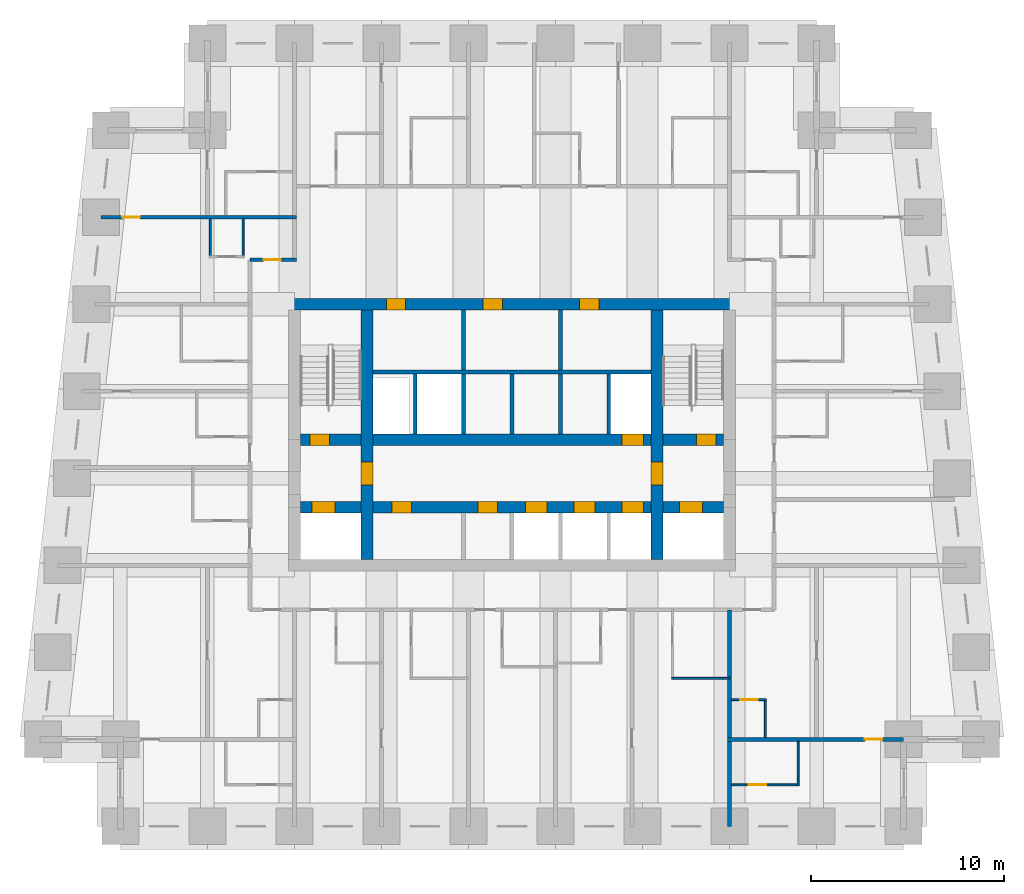
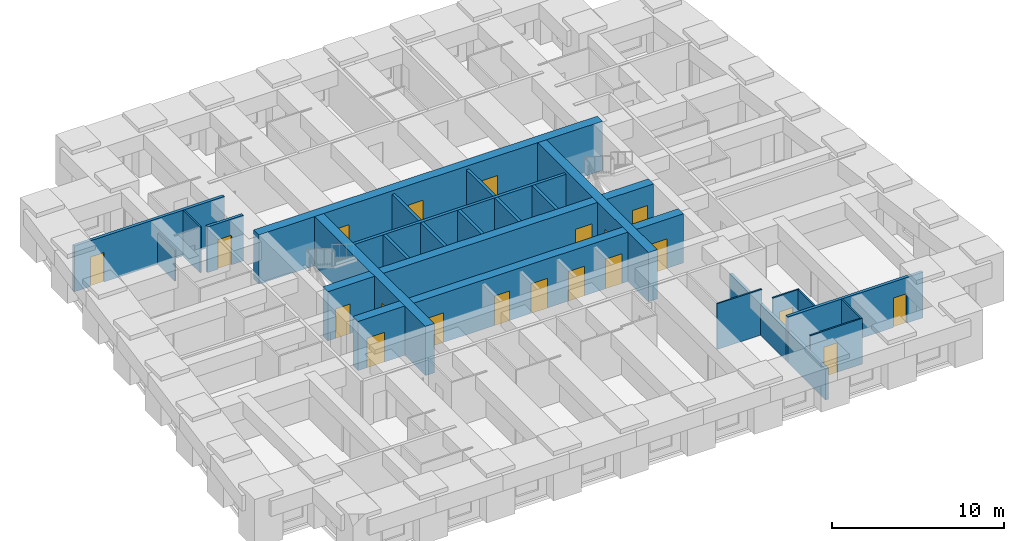
# One storey, part 4 of 8: 24 walls, 20 doors, 20 openings.
"""IFC4 building model written with IfcOpenShell, lengths in metres."""

from ifc_helpers import new_model, si_unit, direction, frame, frame_2d, origin, place, context, subcontext, project, spatial, rectangle, extrude, material, layer, layer_set, type_object, element, fill, save


model = new_model("IFC4")

# Units and contexts
model_context = context("Model", 3, precision=1e-05, world=origin(), true_north=direction((0.0, 1.0)))
body_context = subcontext(model_context, "Body", "Model", "MODEL_VIEW")
ifc_project = project(units=[si_unit("LENGTHUNIT", "METRE"), si_unit("AREAUNIT", "SQUARE_METRE"), si_unit("VOLUMEUNIT", "CUBIC_METRE"), si_unit("PLANEANGLEUNIT", "RADIAN"), si_unit("MASSUNIT", "GRAM", prefix="KILO")], contexts=[model_context])

# Site, building, storey
site_placement = place(None, origin())
site = spatial("IfcSite", under=ifc_project, at=site_placement, CompositionType="ELEMENT")
building_placement = place(site_placement, origin())
building = spatial("IfcBuilding", under=site, at=building_placement, Name="Kilele Tower Hotel", CompositionType="ELEMENT")
storey_placement = place(building_placement, frame((0.0, 0.0, 142.39990234375)))
storey = spatial("IfcBuildingStorey", under=building, at=storey_placement, Name="L37", CompositionType="ELEMENT", Elevation=142.39990234375)

# Walls
ifc_material_1 = material(Name="Moisture-resistant board")
ifc_layer_1 = layer(ifc_material_1, 0.10009765625)
ifc_layer_set_1 = layer_set([ifc_layer_1], Name="Moisture-resistant board")
wall_type_1 = type_object("IfcWallType", Name="Bathroom partition 100", PredefinedType="PLUMBINGWALL", material=ifc_layer_set_1)
wall_1_placement = place(storey_placement, frame((33.0, 7.64990234375, 0.0), z_axis=(0.0, 0.0, 1.0), x_axis=(1.0, 0.0, 0.0)))
element("IfcWall", 1, at=wall_1_placement, inside=storey, type_object=wall_type_1, Name="Bathroom partition 100 L37", PredefinedType="PLUMBINGWALL", context=body_context, shape_type="SweptSolid", body=[
    extrude(rectangle(XDim=3.0, YDim=0.10009765625, at=frame_2d((1.5, 0.0))), origin(), (0.0, 0.0, 1.0), 3.25),
])
wall_2_placement = place(storey_placement, frame((37.85009765625, 4.60009765625, 0.0), z_axis=(0.0, 0.0, 1.0), x_axis=(0.0, 1.0, 0.0)))
element("IfcWall", 2, at=wall_2_placement, inside=storey, type_object=wall_type_1, Name="Bathroom partition 100 L37", PredefinedType="PLUMBINGWALL", context=body_context, shape_type="SweptSolid", body=[
    extrude(rectangle(XDim=2.0, YDim=0.10009765625, at=frame_2d((1.0, 0.0))), origin(), (0.0, 0.0, 1.0), 3.25),
])

# Wall, opening, door
wall_3_placement = place(storey_placement, frame((36.10009765625, 6.550048828125, 0.0), z_axis=(0.0, 0.0, 1.0), x_axis=(1.0, 0.0, 0.0)))
wall_3 = element("IfcWall", 3, at=wall_3_placement, inside=storey, type_object=wall_type_1, Name="Bathroom partition 100 L37", PredefinedType="PLUMBINGWALL", context=body_context, shape_type="SweptSolid", body=[
    extrude(rectangle(XDim=1.7998046875, YDim=0.10009765625, at=frame_2d((0.89990234375, 0.0))), origin(), (0.0, 0.0, 1.0), 3.25),
])
opening_1_placement = place(wall_3_placement, frame((0.449951171875, 0.0, 0.0)))
opening_1 = element("IfcOpeningElement", 4, at=opening_1_placement, cuts=wall_3, Name="Opening D2A", PredefinedType="OPENING", context=body_context, shape_type="SweptSolid", body=[
    extrude(rectangle(XDim=0.89990234375, YDim=2.10009765625, at=frame_2d((0.449951171875, 1.050048828125))), frame((0.0, 0.06005859375, 0.0), z_axis=(0.0, -1.0, 0.0), x_axis=(1.0, 0.0, 0.0)), (0.0, 0.0, 1.0), 0.1201171875),
])
ifc_material_2 = material(Name="Timber door leaf in hardwood frame", Category="wood")
door_type_1 = type_object("IfcDoorType", Name="Bathroom door 900", OperationType="SINGLE_SWING_LEFT", PredefinedType="DOOR", material=ifc_material_2)
door_1_placement = place(opening_1_placement, origin())
door_1 = element("IfcDoor", 5, at=door_1_placement, inside=storey, type_object=door_type_1, Name="Bathroom door 3720P", OperationType="SINGLE_SWING_LEFT", OverallHeight=2.10009765625, OverallWidth=0.89990234375, PredefinedType="DOOR", context=body_context, shape_type="SweptSolid", body=[
    extrude(rectangle(XDim=0.89990234375, YDim=2.10009765625, at=frame_2d((0.449951171875, 1.050048828125))), frame((0.0, 0.02490234375, 0.0), z_axis=(0.0, -1.0, 0.0), x_axis=(1.0, 0.0, 0.0)), (0.0, 0.0, 1.0), 0.050048828125),
])
fill(opening_1, door_1)

# Wall
wall_4_placement = place(storey_placement, frame((39.550048828125, 4.39990234375, 0.0), z_axis=(0.0, 0.0, 1.0), x_axis=(0.0, -1.0, 0.0)))
element("IfcWall", 6, at=wall_4_placement, inside=storey, type_object=wall_type_1, Name="Bathroom partition 100 L37", PredefinedType="PLUMBINGWALL", context=body_context, shape_type="SweptSolid", body=[
    extrude(rectangle(XDim=2.2998046875, YDim=0.10009765625, at=frame_2d((1.14990234375, 0.0))), origin(), (0.0, 0.0, 1.0), 3.25),
])

# Wall, opening, door
wall_5_placement = place(storey_placement, frame((36.10009765625, 2.14990234375, 0.0), z_axis=(0.0, 0.0, 1.0), x_axis=(1.0, 0.0, 0.0)))
wall_5 = element("IfcWall", 7, at=wall_5_placement, inside=storey, type_object=wall_type_1, Name="Bathroom partition 100 L37", PredefinedType="PLUMBINGWALL", context=body_context, shape_type="SweptSolid", body=[
    extrude(rectangle(XDim=3.5, YDim=0.10009765625, at=frame_2d((1.75, 0.0))), origin(), (0.0, 0.0, 1.0), 3.25),
])
opening_2_placement = place(wall_5_placement, frame((1.7998046875, 0.0, 0.0), z_axis=(0.0, 0.0, 1.0), x_axis=(-1.0, 0.0, 0.0)))
opening_2 = element("IfcOpeningElement", 8, at=opening_2_placement, cuts=wall_5, Name="Opening D2A", PredefinedType="OPENING", context=body_context, shape_type="SweptSolid", body=[
    extrude(rectangle(XDim=0.89990234375, YDim=2.10009765625, at=frame_2d((0.449951171875, 1.050048828125))), frame((0.0, 0.06005859375, 0.0), z_axis=(0.0, -1.0, 0.0), x_axis=(1.0, 0.0, 0.0)), (0.0, 0.0, 1.0), 0.1201171875),
])
door_2_placement = place(opening_2_placement, origin())
door_2 = element("IfcDoor", 9, at=door_2_placement, inside=storey, type_object=door_type_1, Name="Bathroom door 3722B", OperationType="SINGLE_SWING_RIGHT", OverallHeight=2.10009765625, OverallWidth=0.89990234375, PredefinedType="DOOR", context=body_context, shape_type="SweptSolid", body=[
    extrude(rectangle(XDim=0.89990234375, YDim=2.10009765625, at=frame_2d((0.449951171875, 1.050048828125))), frame((0.0, 0.02490234375, 0.0), z_axis=(0.0, -1.0, 0.0), x_axis=(1.0, 0.0, 0.0)), (0.0, 0.0, 1.0), 0.050048828125),
])
fill(opening_2, door_2)

# Walls
wall_6_placement = place(storey_placement, frame((9.14990234375, 31.39990234375, 0.0), z_axis=(0.0, 0.0, 1.0), x_axis=(0.0, -1.0, 0.0)))
element("IfcWall", 10, at=wall_6_placement, inside=storey, type_object=wall_type_1, Name="Bathroom partition 100 L37", PredefinedType="PLUMBINGWALL", context=body_context, shape_type="SweptSolid", body=[
    extrude(rectangle(XDim=2.0, YDim=0.10009765625, at=frame_2d((1.0, 0.0))), origin(), (0.0, 0.0, 1.0), 2.2001953125),
])
wall_7_placement = place(storey_placement, frame((10.85009765625, 31.39990234375, 0.0), z_axis=(0.0, 0.0, 1.0), x_axis=(0.0, -1.0, 0.0)))
element("IfcWall", 11, at=wall_7_placement, inside=storey, type_object=wall_type_1, Name="Bathroom partition 100 L37", PredefinedType="PLUMBINGWALL", context=body_context, shape_type="SweptSolid", body=[
    extrude(rectangle(XDim=2.0, YDim=0.10009765625, at=frame_2d((1.0, 0.0))), origin(), (0.0, 0.0, 1.0), 3.25),
])

# Wall, openings, doors
ifc_material_3 = material(Name="Concrete C60/75", Category="concrete")
ifc_layer_2 = layer(ifc_material_3, 0.60009765625)
ifc_layer_set_2 = layer_set([ifc_layer_2], Name="Concrete C60/75")
wall_type_2 = type_object("IfcWallType", Name="Core wall 600 C60/75", PredefinedType="SHEAR", material=ifc_layer_set_2)
wall_8_placement = place(storey_placement, frame((36.300048828125, 27.0, 0.0), z_axis=(0.0, 0.0, 1.0), x_axis=(-1.0, 0.0, 0.0)))
wall_8 = element("IfcWall", 12, at=wall_8_placement, inside=storey, type_object=wall_type_2, Name="Core wall N L37", PredefinedType="SHEAR", context=body_context, shape_type="SweptSolid", body=[
    extrude(rectangle(XDim=23.10009765625, YDim=0.60009765625, at=frame_2d((11.550048828125, 0.0))), origin(), (0.0, 0.0, 1.0), 3.5),
])
opening_3_placement = place(wall_8_placement, frame((17.050048828125, 0.0, 0.0)))
opening_3 = element("IfcOpeningElement", 13, at=opening_3_placement, cuts=wall_8, Name="Opening D6", PredefinedType="OPENING", context=body_context, shape_type="SweptSolid", body=[
    extrude(rectangle(XDim=1.0, YDim=2.10009765625, at=frame_2d((0.5, 1.050048828125))), frame((0.0, 0.31005859375, 0.0), z_axis=(0.0, -1.0, 0.0), x_axis=(1.0, 0.0, 0.0)), (0.0, 0.0, 1.0), 0.6201171875),
])
opening_4_placement = place(wall_8_placement, frame((12.050048828125, 0.0, 0.0)))
opening_4 = element("IfcOpeningElement", 14, at=opening_4_placement, cuts=wall_8, Name="Opening D6", PredefinedType="OPENING", context=body_context, shape_type="SweptSolid", body=[
    extrude(rectangle(XDim=1.0, YDim=2.10009765625, at=frame_2d((0.5, 1.050048828125))), frame((0.0, 0.31005859375, 0.0), z_axis=(0.0, -1.0, 0.0), x_axis=(1.0, 0.0, 0.0)), (0.0, 0.0, 1.0), 0.6201171875),
])
opening_5_placement = place(wall_8_placement, frame((7.050048828125, 0.0, 0.0)))
opening_5 = element("IfcOpeningElement", 15, at=opening_5_placement, cuts=wall_8, Name="Opening D6", PredefinedType="OPENING", context=body_context, shape_type="SweptSolid", body=[
    extrude(rectangle(XDim=1.0, YDim=2.10009765625, at=frame_2d((0.5, 1.050048828125))), frame((0.0, 0.31005859375, 0.0), z_axis=(0.0, -1.0, 0.0), x_axis=(1.0, 0.0, 0.0)), (0.0, 0.0, 1.0), 0.6201171875),
])
ifc_material_4 = material(Name="Timber door leaf in hardwood frame", Category="wood")
door_type_2 = type_object("IfcDoorType", Name="Riser door 1000", OperationType="SINGLE_SWING_LEFT", PredefinedType="DOOR", material=ifc_material_4)
door_3_placement = place(opening_3_placement, origin())
door_3 = element("IfcDoor", 16, at=door_3_placement, inside=storey, type_object=door_type_2, Name="Service riser door L37", OperationType="SINGLE_SWING_RIGHT", OverallHeight=2.10009765625, OverallWidth=1.0, PredefinedType="DOOR", context=body_context, shape_type="SweptSolid", body=[
    extrude(rectangle(XDim=1.0, YDim=2.10009765625, at=frame_2d((0.5, 1.050048828125))), frame((0.0, 0.2998046875, 0.0), z_axis=(0.0, -1.0, 0.0), x_axis=(1.0, 0.0, 0.0)), (0.0, 0.0, 1.0), 0.599609375),
])
fill(opening_3, door_3)
door_4_placement = place(opening_4_placement, origin())
door_4 = element("IfcDoor", 17, at=door_4_placement, inside=storey, type_object=door_type_2, Name="Guest pantry door L37", OperationType="SINGLE_SWING_RIGHT", OverallHeight=2.10009765625, OverallWidth=1.0, PredefinedType="DOOR", context=body_context, shape_type="SweptSolid", body=[
    extrude(rectangle(XDim=1.0, YDim=2.10009765625, at=frame_2d((0.5, 1.050048828125))), frame((0.0, 0.2998046875, 0.0), z_axis=(0.0, -1.0, 0.0), x_axis=(1.0, 0.0, 0.0)), (0.0, 0.0, 1.0), 0.599609375),
])
fill(opening_4, door_4)
door_5_placement = place(opening_5_placement, origin())
door_5 = element("IfcDoor", 18, at=door_5_placement, inside=storey, type_object=door_type_2, Name="Electrical riser door L37", OperationType="SINGLE_SWING_RIGHT", OverallHeight=2.10009765625, OverallWidth=1.0, PredefinedType="DOOR", context=body_context, shape_type="SweptSolid", body=[
    extrude(rectangle(XDim=1.0, YDim=2.10009765625, at=frame_2d((0.5, 1.050048828125))), frame((0.0, 0.2998046875, 0.0), z_axis=(0.0, -1.0, 0.0), x_axis=(1.0, 0.0, 0.0)), (0.0, 0.0, 1.0), 0.599609375),
])
fill(opening_5, door_5)

# Wall, opening, door
wall_9_placement = place(storey_placement, frame((17.25, 13.800048828125, 0.0), z_axis=(0.0, 0.0, 1.0), x_axis=(0.0, 1.0, 0.0)))
wall_9 = element("IfcWall", 19, at=wall_9_placement, inside=storey, type_object=wall_type_2, Name="Core wall IW L37", PredefinedType="SHEAR", context=body_context, shape_type="SweptSolid", body=[
    extrude(rectangle(XDim=12.89990234375, YDim=0.60009765625, at=frame_2d((6.449951171875, 0.0))), origin(), (0.0, 0.0, 1.0), 3.5),
])
opening_6_placement = place(wall_9_placement, frame((3.85009765625, 0.0, 0.0)))
opening_6 = element("IfcOpeningElement", 20, at=opening_6_placement, cuts=wall_9, Name="Opening D4", PredefinedType="OPENING", context=body_context, shape_type="SweptSolid", body=[
    extrude(rectangle(XDim=1.199951171875, YDim=2.10009765625, at=frame_2d((0.60009765625, 1.050048828125))), frame((0.0, 0.31005859375, 0.0), z_axis=(0.0, -1.0, 0.0), x_axis=(1.0, 0.0, 0.0)), (0.0, 0.0, 1.0), 0.6201171875),
])
ifc_material_5 = material(Name="Timber door leaf in hardwood frame", Category="wood")
door_type_3 = type_object("IfcDoorType", Name="Firefighting lobby door 1200", OperationType="SINGLE_SWING_LEFT", PredefinedType="DOOR", material=ifc_material_5)
door_6_placement = place(opening_6_placement, origin())
door_6 = element("IfcDoor", 21, at=door_6_placement, inside=storey, type_object=door_type_3, Name="Lobby door L37", OperationType="SINGLE_SWING_LEFT", OverallHeight=2.10009765625, OverallWidth=1.199951171875, PredefinedType="DOOR", context=body_context, shape_type="SweptSolid", body=[
    extrude(rectangle(XDim=1.199951171875, YDim=2.10009765625, at=frame_2d((0.60009765625, 1.050048828125))), frame((0.0, 0.2998046875, 0.0), z_axis=(0.0, -1.0, 0.0), x_axis=(1.0, 0.0, 0.0)), (0.0, 0.0, 1.0), 0.599609375),
])
fill(opening_6, door_6)

wall_10_placement = place(storey_placement, frame((32.25, 13.800048828125, 0.0), z_axis=(0.0, 0.0, 1.0), x_axis=(0.0, 1.0, 0.0)))
wall_10 = element("IfcWall", 22, at=wall_10_placement, inside=storey, type_object=wall_type_2, Name="Core wall IE L37", PredefinedType="SHEAR", context=body_context, shape_type="SweptSolid", body=[
    extrude(rectangle(XDim=12.89990234375, YDim=0.60009765625, at=frame_2d((6.449951171875, 0.0))), origin(), (0.0, 0.0, 1.0), 3.5),
])
opening_7_placement = place(wall_10_placement, frame((5.050048828125, 0.0, 0.0), z_axis=(0.0, 0.0, 1.0), x_axis=(-1.0, 0.0, 0.0)))
opening_7 = element("IfcOpeningElement", 23, at=opening_7_placement, cuts=wall_10, Name="Opening D4", PredefinedType="OPENING", context=body_context, shape_type="SweptSolid", body=[
    extrude(rectangle(XDim=1.199951171875, YDim=2.10009765625, at=frame_2d((0.60009765625, 1.050048828125))), frame((0.0, 0.31005859375, 0.0), z_axis=(0.0, -1.0, 0.0), x_axis=(1.0, 0.0, 0.0)), (0.0, 0.0, 1.0), 0.6201171875),
])
door_7_placement = place(opening_7_placement, origin())
door_7 = element("IfcDoor", 24, at=door_7_placement, inside=storey, type_object=door_type_3, Name="Lobby door L37", OperationType="SINGLE_SWING_RIGHT", OverallHeight=2.10009765625, OverallWidth=1.199951171875, PredefinedType="DOOR", context=body_context, shape_type="SweptSolid", body=[
    extrude(rectangle(XDim=1.199951171875, YDim=2.10009765625, at=frame_2d((0.60009765625, 1.050048828125))), frame((0.0, 0.2998046875, 0.0), z_axis=(0.0, -1.0, 0.0), x_axis=(1.0, 0.0, 0.0)), (0.0, 0.0, 1.0), 0.599609375),
])
fill(opening_7, door_7)

# Wall, openings, doors
wall_11_placement = place(storey_placement, frame((13.800048828125, 16.5, 0.0), z_axis=(0.0, 0.0, 1.0), x_axis=(1.0, 0.0, 0.0)))
wall_11 = element("IfcWall", 25, at=wall_11_placement, inside=storey, type_object=wall_type_2, Name="Core wall LS L37", PredefinedType="SHEAR", context=body_context, shape_type="SweptSolid", body=[
    extrude(rectangle(XDim=21.89990234375, YDim=0.60009765625, at=frame_2d((10.949951171875, 0.0))), origin(), (0.0, 0.0, 1.0), 3.5),
])
opening_8_placement = place(wall_11_placement, frame((11.64990234375, 0.0, 0.0)))
opening_8 = element("IfcOpeningElement", 26, at=opening_8_placement, cuts=wall_11, Name="Opening LD1", PredefinedType="OPENING", context=body_context, shape_type="SweptSolid", body=[
    extrude(rectangle(XDim=1.10009765625, YDim=2.10009765625, at=frame_2d((0.550048828125, 1.050048828125))), frame((0.0, 0.31005859375, 0.0), z_axis=(0.0, -1.0, 0.0), x_axis=(1.0, 0.0, 0.0)), (0.0, 0.0, 1.0), 0.6201171875),
])
opening_9_placement = place(wall_11_placement, frame((14.14990234375, 0.0, 0.0)))
opening_9 = element("IfcOpeningElement", 27, at=opening_9_placement, cuts=wall_11, Name="Opening LD1", PredefinedType="OPENING", context=body_context, shape_type="SweptSolid", body=[
    extrude(rectangle(XDim=1.10009765625, YDim=2.10009765625, at=frame_2d((0.550048828125, 1.050048828125))), frame((0.0, 0.31005859375, 0.0), z_axis=(0.0, -1.0, 0.0), x_axis=(1.0, 0.0, 0.0)), (0.0, 0.0, 1.0), 0.6201171875),
])
opening_10_placement = place(wall_11_placement, frame((16.64990234375, 0.0, 0.0)))
opening_10 = element("IfcOpeningElement", 28, at=opening_10_placement, cuts=wall_11, Name="Opening LD1", PredefinedType="OPENING", context=body_context, shape_type="SweptSolid", body=[
    extrude(rectangle(XDim=1.10009765625, YDim=2.10009765625, at=frame_2d((0.550048828125, 1.050048828125))), frame((0.0, 0.31005859375, 0.0), z_axis=(0.0, -1.0, 0.0), x_axis=(1.0, 0.0, 0.0)), (0.0, 0.0, 1.0), 0.6201171875),
])
opening_11_placement = place(wall_11_placement, frame((5.75, 0.0, 0.0), z_axis=(0.0, 0.0, 1.0), x_axis=(-1.0, 0.0, 0.0)))
opening_11 = element("IfcOpeningElement", 29, at=opening_11_placement, cuts=wall_11, Name="Opening D11", PredefinedType="OPENING", context=body_context, shape_type="SweptSolid", body=[
    extrude(rectangle(XDim=1.0, YDim=2.10009765625, at=frame_2d((0.5, 1.050048828125))), frame((0.0, 0.31005859375, 0.0), z_axis=(0.0, -1.0, 0.0), x_axis=(1.0, 0.0, 0.0)), (0.0, 0.0, 1.0), 0.6201171875),
])
opening_12_placement = place(wall_11_placement, frame((10.199951171875, 0.0, 0.0), z_axis=(0.0, 0.0, 1.0), x_axis=(-1.0, 0.0, 0.0)))
opening_12 = element("IfcOpeningElement", 30, at=opening_12_placement, cuts=wall_11, Name="Opening D11", PredefinedType="OPENING", context=body_context, shape_type="SweptSolid", body=[
    extrude(rectangle(XDim=1.0, YDim=2.10009765625, at=frame_2d((0.5, 1.050048828125))), frame((0.0, 0.31005859375, 0.0), z_axis=(0.0, -1.0, 0.0), x_axis=(1.0, 0.0, 0.0)), (0.0, 0.0, 1.0), 0.6201171875),
])
opening_13_placement = place(wall_11_placement, frame((0.60009765625, 0.0, 0.0)))
opening_13 = element("IfcOpeningElement", 31, at=opening_13_placement, cuts=wall_11, Name="Opening LD2", PredefinedType="OPENING", context=body_context, shape_type="SweptSolid", body=[
    extrude(rectangle(XDim=1.199951171875, YDim=2.10009765625, at=frame_2d((0.60009765625, 1.050048828125))), frame((0.0, 0.31005859375, 0.0), z_axis=(0.0, -1.0, 0.0), x_axis=(1.0, 0.0, 0.0)), (0.0, 0.0, 1.0), 0.6201171875),
])
opening_14_placement = place(wall_11_placement, frame((19.60009765625, 0.0, 0.0)))
opening_14 = element("IfcOpeningElement", 32, at=opening_14_placement, cuts=wall_11, Name="Opening LD2", PredefinedType="OPENING", context=body_context, shape_type="SweptSolid", body=[
    extrude(rectangle(XDim=1.199951171875, YDim=2.10009765625, at=frame_2d((0.60009765625, 1.050048828125))), frame((0.0, 0.31005859375, 0.0), z_axis=(0.0, -1.0, 0.0), x_axis=(1.0, 0.0, 0.0)), (0.0, 0.0, 1.0), 0.6201171875),
])
ifc_material_6 = material(Name="Timber door leaf in hardwood frame", Category="wood")
door_type_4 = type_object("IfcDoorType", Name="Core store door 1000", OperationType="SINGLE_SWING_LEFT", PredefinedType="DOOR", material=ifc_material_6)
door_8_placement = place(opening_11_placement, origin())
door_8 = element("IfcDoor", 33, at=door_8_placement, inside=storey, type_object=door_type_4, Name="Core room door L1 L37", OperationType="SINGLE_SWING_RIGHT", OverallHeight=2.10009765625, OverallWidth=1.0, PredefinedType="DOOR", context=body_context, shape_type="SweptSolid", body=[
    extrude(rectangle(XDim=1.0, YDim=2.10009765625, at=frame_2d((0.5, 1.050048828125))), frame((0.0, 0.2998046875, 0.0), z_axis=(0.0, -1.0, 0.0), x_axis=(1.0, 0.0, 0.0)), (0.0, 0.0, 1.0), 0.599609375),
])
fill(opening_11, door_8)
door_9_placement = place(opening_12_placement, origin())
door_9 = element("IfcDoor", 34, at=door_9_placement, inside=storey, type_object=door_type_4, Name="Core room door L3 L37", OperationType="SINGLE_SWING_RIGHT", OverallHeight=2.10009765625, OverallWidth=1.0, PredefinedType="DOOR", context=body_context, shape_type="SweptSolid", body=[
    extrude(rectangle(XDim=1.0, YDim=2.10009765625, at=frame_2d((0.5, 1.050048828125))), frame((0.0, 0.2998046875, 0.0), z_axis=(0.0, -1.0, 0.0), x_axis=(1.0, 0.0, 0.0)), (0.0, 0.0, 1.0), 0.599609375),
])
fill(opening_12, door_9)
ifc_material_7 = material(Name="Steel lift landing door", Category="steel")
door_type_5 = type_object("IfcDoorType", Name="Firefighting lift landing door 1200", OperationType="SLIDING_TO_LEFT", PredefinedType="DOOR", material=ifc_material_7)
door_10_placement = place(opening_13_placement, origin())
door_10 = element("IfcDoor", 35, at=door_10_placement, inside=storey, type_object=door_type_5, Name="Landing door FFW L37", OperationType="SLIDING_TO_LEFT", OverallHeight=2.10009765625, OverallWidth=1.199951171875, PredefinedType="DOOR", context=body_context, shape_type="SweptSolid", body=[
    extrude(rectangle(XDim=1.199951171875, YDim=2.10009765625, at=frame_2d((0.60009765625, 1.050048828125))), frame((0.0, 0.2998046875, 0.0), z_axis=(0.0, -1.0, 0.0), x_axis=(1.0, 0.0, 0.0)), (0.0, 0.0, 1.0), 0.599609375),
])
fill(opening_13, door_10)
door_11_placement = place(opening_14_placement, origin())
door_11 = element("IfcDoor", 36, at=door_11_placement, inside=storey, type_object=door_type_5, Name="Landing door FFE L37", OperationType="SLIDING_TO_LEFT", OverallHeight=2.10009765625, OverallWidth=1.199951171875, PredefinedType="DOOR", context=body_context, shape_type="SweptSolid", body=[
    extrude(rectangle(XDim=1.199951171875, YDim=2.10009765625, at=frame_2d((0.60009765625, 1.050048828125))), frame((0.0, 0.2998046875, 0.0), z_axis=(0.0, -1.0, 0.0), x_axis=(1.0, 0.0, 0.0)), (0.0, 0.0, 1.0), 0.599609375),
])
fill(opening_14, door_11)
ifc_material_8 = material(Name="Steel lift landing door", Category="steel")
door_type_6 = type_object("IfcDoorType", Name="Lift landing door 1100", OperationType="SLIDING_TO_LEFT", PredefinedType="DOOR", material=ifc_material_8)
door_12_placement = place(opening_8_placement, origin())
door_12 = element("IfcDoor", 37, at=door_12_placement, inside=storey, type_object=door_type_6, Name="Landing door M1 L37", OperationType="SLIDING_TO_LEFT", OverallHeight=2.10009765625, OverallWidth=1.10009765625, PredefinedType="DOOR", context=body_context, shape_type="SweptSolid", body=[
    extrude(rectangle(XDim=1.10009765625, YDim=2.10009765625, at=frame_2d((0.550048828125, 1.050048828125))), frame((0.0, 0.2998046875, 0.0), z_axis=(0.0, -1.0, 0.0), x_axis=(1.0, 0.0, 0.0)), (0.0, 0.0, 1.0), 0.599609375),
])
fill(opening_8, door_12)
door_13_placement = place(opening_9_placement, origin())
door_13 = element("IfcDoor", 38, at=door_13_placement, inside=storey, type_object=door_type_6, Name="Landing door M2 L37", OperationType="SLIDING_TO_LEFT", OverallHeight=2.10009765625, OverallWidth=1.10009765625, PredefinedType="DOOR", context=body_context, shape_type="SweptSolid", body=[
    extrude(rectangle(XDim=1.10009765625, YDim=2.10009765625, at=frame_2d((0.550048828125, 1.050048828125))), frame((0.0, 0.2998046875, 0.0), z_axis=(0.0, -1.0, 0.0), x_axis=(1.0, 0.0, 0.0)), (0.0, 0.0, 1.0), 0.599609375),
])
fill(opening_9, door_13)
door_14_placement = place(opening_10_placement, origin())
door_14 = element("IfcDoor", 39, at=door_14_placement, inside=storey, type_object=door_type_6, Name="Landing door M3 L37", OperationType="SLIDING_TO_LEFT", OverallHeight=2.10009765625, OverallWidth=1.10009765625, PredefinedType="DOOR", context=body_context, shape_type="SweptSolid", body=[
    extrude(rectangle(XDim=1.10009765625, YDim=2.10009765625, at=frame_2d((0.550048828125, 1.050048828125))), frame((0.0, 0.2998046875, 0.0), z_axis=(0.0, -1.0, 0.0), x_axis=(1.0, 0.0, 0.0)), (0.0, 0.0, 1.0), 0.599609375),
])
fill(opening_10, door_14)

wall_12_placement = place(storey_placement, frame((13.800048828125, 20.0, 0.0), z_axis=(0.0, 0.0, 1.0), x_axis=(1.0, 0.0, 0.0)))
wall_12 = element("IfcWall", 40, at=wall_12_placement, inside=storey, type_object=wall_type_2, Name="Core wall LN L37", PredefinedType="SHEAR", context=body_context, shape_type="SweptSolid", body=[
    extrude(rectangle(XDim=21.89990234375, YDim=0.60009765625, at=frame_2d((10.949951171875, 0.0))), origin(), (0.0, 0.0, 1.0), 3.5),
])
opening_15_placement = place(wall_12_placement, frame((0.5, 0.0, 0.0)))
opening_15 = element("IfcOpeningElement", 41, at=opening_15_placement, cuts=wall_12, Name="Opening D5", PredefinedType="OPENING", context=body_context, shape_type="SweptSolid", body=[
    extrude(rectangle(XDim=1.0, YDim=2.10009765625, at=frame_2d((0.5, 1.050048828125))), frame((0.0, 0.31005859375, 0.0), z_axis=(0.0, -1.0, 0.0), x_axis=(1.0, 0.0, 0.0)), (0.0, 0.0, 1.0), 0.6201171875),
])
opening_16_placement = place(wall_12_placement, frame((20.5, 0.0, 0.0)))
opening_16 = element("IfcOpeningElement", 42, at=opening_16_placement, cuts=wall_12, Name="Opening D5", PredefinedType="OPENING", context=body_context, shape_type="SweptSolid", body=[
    extrude(rectangle(XDim=1.0, YDim=2.10009765625, at=frame_2d((0.5, 1.050048828125))), frame((0.0, 0.31005859375, 0.0), z_axis=(0.0, -1.0, 0.0), x_axis=(1.0, 0.0, 0.0)), (0.0, 0.0, 1.0), 0.6201171875),
])
opening_17_placement = place(wall_12_placement, frame((16.64990234375, 0.0, 0.0)))
opening_17 = element("IfcOpeningElement", 43, at=opening_17_placement, cuts=wall_12, Name="Opening LD1", PredefinedType="OPENING", context=body_context, shape_type="SweptSolid", body=[
    extrude(rectangle(XDim=1.10009765625, YDim=2.10009765625, at=frame_2d((0.550048828125, 1.050048828125))), frame((0.0, 0.31005859375, 0.0), z_axis=(0.0, -1.0, 0.0), x_axis=(1.0, 0.0, 0.0)), (0.0, 0.0, 1.0), 0.6201171875),
])
door_15_placement = place(opening_17_placement, origin())
door_15 = element("IfcDoor", 44, at=door_15_placement, inside=storey, type_object=door_type_6, Name="Landing door G1 L37", OperationType="SLIDING_TO_LEFT", OverallHeight=2.10009765625, OverallWidth=1.10009765625, PredefinedType="DOOR", context=body_context, shape_type="SweptSolid", body=[
    extrude(rectangle(XDim=1.10009765625, YDim=2.10009765625, at=frame_2d((0.550048828125, 1.050048828125))), frame((0.0, 0.2998046875, 0.0), z_axis=(0.0, -1.0, 0.0), x_axis=(1.0, 0.0, 0.0)), (0.0, 0.0, 1.0), 0.599609375),
])
fill(opening_17, door_15)
ifc_material_9 = material(Name="Timber door leaf in hardwood frame", Category="wood")
door_type_7 = type_object("IfcDoorType", Name="Stair door 1000", OperationType="SINGLE_SWING_LEFT", PredefinedType="DOOR", material=ifc_material_9)
door_16_placement = place(opening_15_placement, origin())
door_16 = element("IfcDoor", 45, at=door_16_placement, inside=storey, type_object=door_type_7, Name="Stair 1 door L37", OperationType="SINGLE_SWING_LEFT", OverallHeight=2.10009765625, OverallWidth=1.0, PredefinedType="DOOR", context=body_context, shape_type="SweptSolid", body=[
    extrude(rectangle(XDim=1.0, YDim=2.10009765625, at=frame_2d((0.5, 1.050048828125))), frame((0.0, 0.2998046875, 0.0), z_axis=(0.0, -1.0, 0.0), x_axis=(1.0, 0.0, 0.0)), (0.0, 0.0, 1.0), 0.599609375),
])
fill(opening_15, door_16)
door_17_placement = place(opening_16_placement, origin())
door_17 = element("IfcDoor", 46, at=door_17_placement, inside=storey, type_object=door_type_7, Name="Stair 2 door L37", OperationType="SINGLE_SWING_RIGHT", OverallHeight=2.10009765625, OverallWidth=1.0, PredefinedType="DOOR", context=body_context, shape_type="SweptSolid", body=[
    extrude(rectangle(XDim=1.0, YDim=2.10009765625, at=frame_2d((0.5, 1.050048828125))), frame((0.0, 0.2998046875, 0.0), z_axis=(0.0, -1.0, 0.0), x_axis=(1.0, 0.0, 0.0)), (0.0, 0.0, 1.0), 0.599609375),
])
fill(opening_16, door_17)

# Wall, opening, door
ifc_material_10 = material(Name="Blockwork, plastered both sides", Category="masonry")
ifc_layer_3 = layer(ifc_material_10, 0.199951171875)
ifc_layer_set_3 = layer_set([ifc_layer_3], Name="Blockwork, plastered both sides")
wall_type_3 = type_object("IfcWallType", Name="Corridor wall 200", PredefinedType="PARTITIONING", material=ifc_layer_set_3)
wall_13_placement = place(storey_placement, frame((11.199951171875, 29.300048828125, 0.0), z_axis=(0.0, 0.0, 1.0), x_axis=(1.0, 0.0, 0.0)))
wall_13 = element("IfcWall", 47, at=wall_13_placement, inside=storey, type_object=wall_type_3, Name="Corridor wall 200 L37", PredefinedType="PARTITIONING", context=body_context, shape_type="SweptSolid", body=[
    extrude(rectangle(XDim=2.400146484375, YDim=0.199951171875, at=frame_2d((1.2001953125, 0.0))), origin(), (0.0, 0.0, 1.0), 3.25),
])
opening_18_placement = place(wall_13_placement, frame((0.699951171875, 0.0, 0.0)))
opening_18 = element("IfcOpeningElement", 48, at=opening_18_placement, cuts=wall_13, Name="Opening D1", PredefinedType="OPENING", context=body_context, shape_type="SweptSolid", body=[
    extrude(rectangle(XDim=0.89990234375, YDim=2.10009765625, at=frame_2d((0.449951171875, 1.050048828125))), frame((0.0, 0.10986328125, 0.0), z_axis=(0.0, -1.0, 0.0), x_axis=(1.0, 0.0, 0.0)), (0.0, 0.0, 1.0), 0.219970703125),
])
ifc_material_11 = material(Name="Timber door leaf in hardwood frame", Category="wood")
door_type_8 = type_object("IfcDoorType", Name="Guest room entrance door 900", OperationType="SINGLE_SWING_LEFT", PredefinedType="DOOR", material=ifc_material_11)
door_18_placement = place(opening_18_placement, origin())
door_18 = element("IfcDoor", 49, at=door_18_placement, inside=storey, type_object=door_type_8, Name="Room entrance 3726", OperationType="SINGLE_SWING_RIGHT", OverallHeight=2.10009765625, OverallWidth=0.89990234375, PredefinedType="DOOR", context=body_context, shape_type="SweptSolid", body=[
    extrude(rectangle(XDim=0.89990234375, YDim=2.10009765625, at=frame_2d((0.449951171875, 1.050048828125))), frame((0.0, 0.02490234375, 0.0), z_axis=(0.0, -1.0, 0.0), x_axis=(1.0, 0.0, 0.0)), (0.0, 0.0, 1.0), 0.050048828125),
])
fill(opening_18, door_18)

# Wall
ifc_material_12 = material(Name="Blockwork, plastered both sides", Category="masonry")
ifc_layer_4 = layer(ifc_material_12, 0.199951171875)
ifc_layer_set_4 = layer_set([ifc_layer_4], Name="Blockwork, plastered both sides")
wall_type_4 = type_object("IfcWallType", Name="Party wall 200", PredefinedType="PARTITIONING", material=ifc_layer_set_4)
wall_14_placement = place(storey_placement, frame((36.0, 11.199951171875, 0.0), z_axis=(0.0, 0.0, 1.0), x_axis=(0.0, -1.0, 0.0)))
element("IfcWall", 50, at=wall_14_placement, inside=storey, type_object=wall_type_4, Name="Party wall 200 L37", PredefinedType="PARTITIONING", context=body_context, shape_type="SweptSolid", body=[
    extrude(rectangle(XDim=11.199951171875, YDim=0.199951171875, at=frame_2d((5.60009765625, 0.0))), origin(), (0.0, 0.0, 1.0), 2.2001953125),
])

# Wall, opening, door
wall_15_placement = place(storey_placement, frame((35.89990234375, 4.5, 0.0), z_axis=(0.0, 0.0, 1.0), x_axis=(1.0, 0.0, 0.0)))
wall_15 = element("IfcWall", 51, at=wall_15_placement, inside=storey, type_object=wall_type_4, Name="Party wall 200 L37", PredefinedType="PARTITIONING", context=body_context, shape_type="SweptSolid", body=[
    extrude(rectangle(XDim=9.10009765625, YDim=0.199951171875, at=frame_2d((4.550048828125, 0.0))), origin(), (0.0, 0.0, 1.0), 3.25),
])
opening_19_placement = place(wall_15_placement, frame((7.10009765625, 0.0, 0.0)))
opening_19 = element("IfcOpeningElement", 52, at=opening_19_placement, cuts=wall_15, Name="Opening D3", PredefinedType="OPENING", context=body_context, shape_type="SweptSolid", body=[
    extrude(rectangle(XDim=0.89990234375, YDim=2.10009765625, at=frame_2d((0.449951171875, 1.050048828125))), frame((0.0, 0.10986328125, 0.0), z_axis=(0.0, -1.0, 0.0), x_axis=(1.0, 0.0, 0.0)), (0.0, 0.0, 1.0), 0.219970703125),
])
ifc_material_13 = material(Name="Timber door leaf in hardwood frame", Category="wood")
door_type_9 = type_object("IfcDoorType", Name="Suite internal door 900", OperationType="SINGLE_SWING_LEFT", PredefinedType="DOOR", material=ifc_material_13)
door_19_placement = place(opening_19_placement, origin())
door_19 = element("IfcDoor", 53, at=door_19_placement, inside=storey, type_object=door_type_9, Name="Suite door 3722", OperationType="SINGLE_SWING_RIGHT", OverallHeight=2.10009765625, OverallWidth=0.89990234375, PredefinedType="DOOR", context=body_context, shape_type="SweptSolid", body=[
    extrude(rectangle(XDim=0.89990234375, YDim=2.10009765625, at=frame_2d((0.449951171875, 1.050048828125))), frame((0.0, 0.02490234375, 0.0), z_axis=(0.0, -1.0, 0.0), x_axis=(1.0, 0.0, 0.0)), (0.0, 0.0, 1.0), 0.050048828125),
])
fill(opening_19, door_19)

wall_16_placement = place(storey_placement, frame((13.60009765625, 31.5, 0.0), z_axis=(0.0, 0.0, 1.0), x_axis=(-1.0, 0.0, 0.0)))
wall_16 = element("IfcWall", 54, at=wall_16_placement, inside=storey, type_object=wall_type_4, Name="Party wall 200 L37", PredefinedType="PARTITIONING", context=body_context, shape_type="SweptSolid", body=[
    extrude(rectangle(XDim=10.09912109375, YDim=0.199951171875, at=frame_2d((5.049560546875, 0.0))), origin(), (0.0, 0.0, 1.0), 3.25),
])
opening_20_placement = place(wall_16_placement, frame((8.9990234375, 0.0, 0.0), z_axis=(0.0, 0.0, 1.0), x_axis=(-1.0, 0.0, 0.0)))
opening_20 = element("IfcOpeningElement", 55, at=opening_20_placement, cuts=wall_16, Name="Opening D3", PredefinedType="OPENING", context=body_context, shape_type="SweptSolid", body=[
    extrude(rectangle(XDim=0.89990234375, YDim=2.10009765625, at=frame_2d((0.449951171875, 1.050048828125))), frame((0.0, 0.10986328125, 0.0), z_axis=(0.0, -1.0, 0.0), x_axis=(1.0, 0.0, 0.0)), (0.0, 0.0, 1.0), 0.219970703125),
])
door_20_placement = place(opening_20_placement, origin())
door_20 = element("IfcDoor", 56, at=door_20_placement, inside=storey, type_object=door_type_9, Name="Suite door 3727", OperationType="SINGLE_SWING_LEFT", OverallHeight=2.10009765625, OverallWidth=0.89990234375, PredefinedType="DOOR", context=body_context, shape_type="SweptSolid", body=[
    extrude(rectangle(XDim=0.89990234375, YDim=2.10009765625, at=frame_2d((0.449951171875, 1.050048828125))), frame((0.0, 0.02490234375, 0.0), z_axis=(0.0, -1.0, 0.0), x_axis=(1.0, 0.0, 0.0)), (0.0, 0.0, 1.0), 0.050048828125),
])
fill(opening_20, door_20)

# Walls
ifc_material_14 = material(Name="Blockwork, fire-rated", Category="masonry")
ifc_layer_5 = layer(ifc_material_14, 0.199951171875)
ifc_layer_set_5 = layer_set([ifc_layer_5], Name="Blockwork, fire-rated")
wall_type_5 = type_object("IfcWallType", Name="Shaft wall 200", PredefinedType="PARTITIONING", material=ifc_layer_set_5)
for number, where, z_axis, x_axis, name in (
    (57, (19.75, 20.300048828125, 0.0), (0.0, 0.0, 1.0), (0.0, 1.0, 0.0), "Shaft wall 200 L37"),
    (58, (22.25, 20.300048828125, 0.0), (0.0, 0.0, 1.0), (0.0, 1.0, 0.0), "Shaft wall 200 L37"),
    (59, (24.75, 20.300048828125, 0.0), (0.0, 0.0, 1.0), (0.0, 1.0, 0.0), "Shaft wall 200 L37"),
    (60, (27.25, 20.300048828125, 0.0), (0.0, 0.0, 1.0), (0.0, 1.0, 0.0), "Shaft wall 200 L37"),
    (61, (29.75, 20.300048828125, 0.0), (0.0, 0.0, 1.0), (0.0, 1.0, 0.0), "Shaft wall 200 L37"),
):
    element("IfcWall", number, at=place(storey_placement, frame(where, z_axis=z_axis, x_axis=x_axis)), inside=storey, type_object=wall_type_5, Name=name, PredefinedType="PARTITIONING", context=body_context, shape_type="SweptSolid", body=[
        extrude(rectangle(XDim=3.099853515625, YDim=0.199951171875, at=frame_2d((1.5498046875, 0.0))), origin(), (0.0, 0.0, 1.0), 3.25),
    ])
wall_17_placement = place(storey_placement, frame((17.550048828125, 23.5, 0.0), z_axis=(0.0, 0.0, 1.0), x_axis=(1.0, 0.0, 0.0)))
element("IfcWall", 62, at=wall_17_placement, inside=storey, type_object=wall_type_5, Name="Shaft wall 200 L37", PredefinedType="PARTITIONING", context=body_context, shape_type="SweptSolid", body=[
    extrude(rectangle(XDim=14.39990234375, YDim=0.199951171875, at=frame_2d((7.199951171875, 0.0))), origin(), (0.0, 0.0, 1.0), 3.25),
])
for number, where, z_axis, x_axis, name in (
    (63, (22.25, 23.60009765625, 0.0), (0.0, 0.0, 1.0), (0.0, 1.0, 0.0), "Shaft wall 200 L37"),
    (64, (27.25, 23.60009765625, 0.0), (0.0, 0.0, 1.0), (0.0, 1.0, 0.0), "Shaft wall 200 L37"),
):
    element("IfcWall", number, at=place(storey_placement, frame(where, z_axis=z_axis, x_axis=x_axis)), inside=storey, type_object=wall_type_5, Name=name, PredefinedType="PARTITIONING", context=body_context, shape_type="SweptSolid", body=[
        extrude(rectangle(XDim=3.099853515625, YDim=0.199951171875, at=frame_2d((1.5498046875, 0.0))), origin(), (0.0, 0.0, 1.0), 3.25),
    ])

save(model, "model.ifc")
